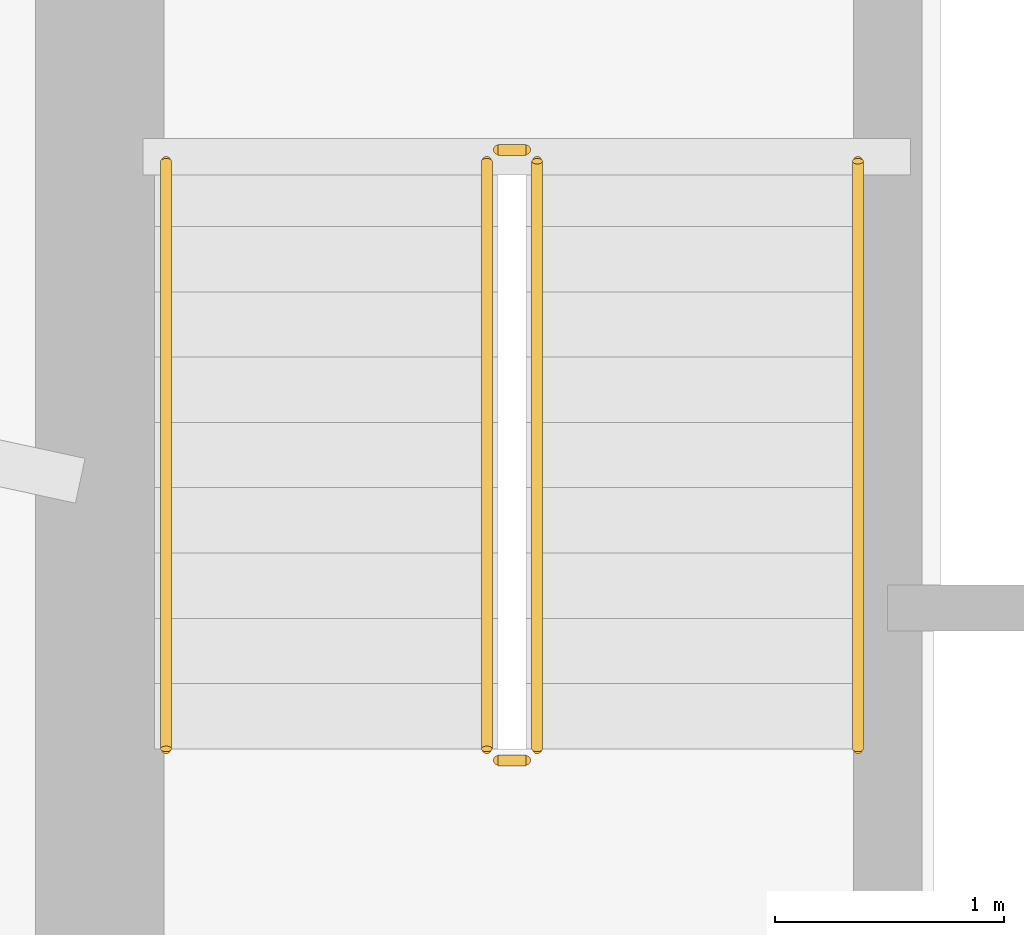
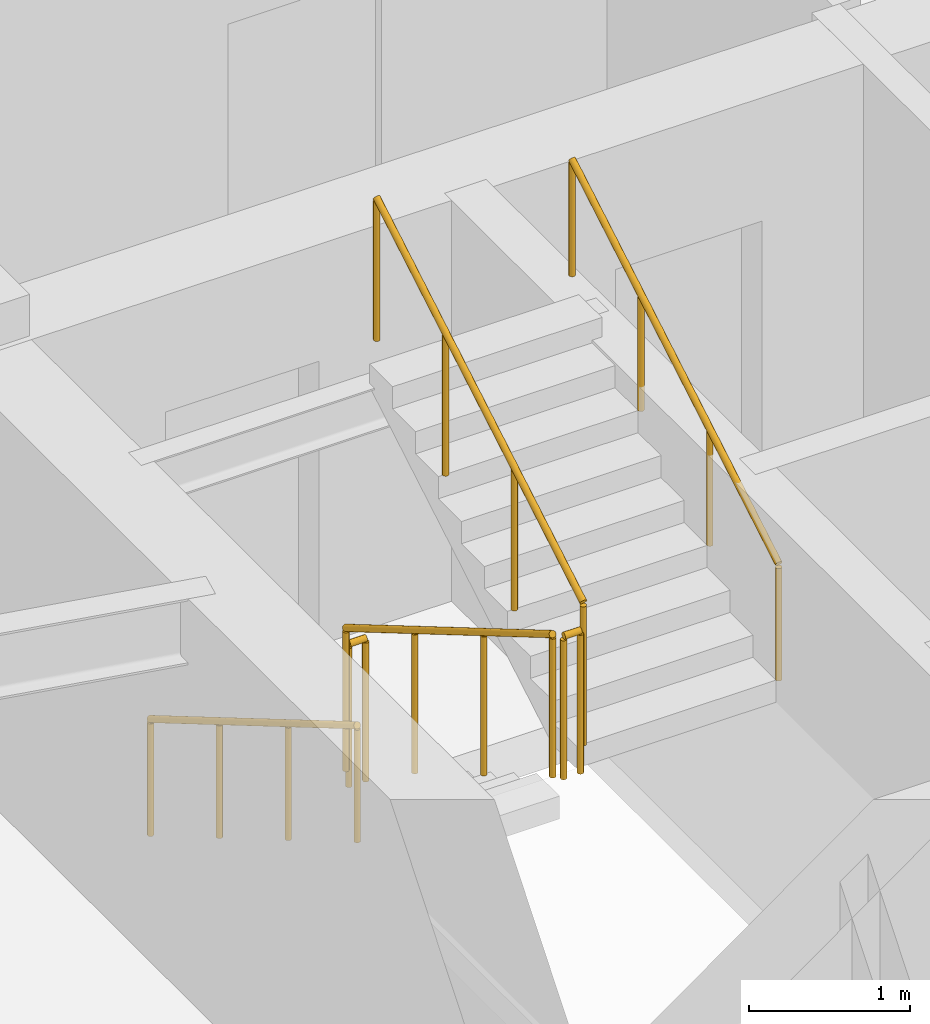
# One storey, part 20 of 21: 6 railings.
"""IFC4 building model written with IfcOpenShell, lengths in metres."""

from ifc_helpers import new_model, si_unit, direction, frame, origin, origin_2d, place, context, subcontext, project, spatial, circle, extrude, material, type_object, element, save


model = new_model("IFC4")

# Units and contexts
model_context = context("Model", 3, precision=1e-05, world=origin(), true_north=direction((0.0, 1.0)))
body_context = subcontext(model_context, "Body", "Model", "MODEL_VIEW")
ifc_project = project(units=[si_unit("LENGTHUNIT", "METRE"), si_unit("AREAUNIT", "SQUARE_METRE"), si_unit("VOLUMEUNIT", "CUBIC_METRE"), si_unit("PLANEANGLEUNIT", "RADIAN"), si_unit("MASSUNIT", "GRAM", prefix="KILO")], contexts=[model_context])

# Site, building, storey
site_placement = place(None, origin())
site = spatial("IfcSite", under=ifc_project, at=site_placement, CompositionType="ELEMENT")
building_placement = place(site_placement, origin())
building = spatial("IfcBuilding", under=site, at=building_placement, Name="Qobustan Lattice House", CompositionType="ELEMENT")
storey_placement = place(building_placement, frame((0.0, 0.0, 37.050048828125)))
storey = spatial("IfcBuildingStorey", under=building, at=storey_placement, Name="L09", CompositionType="ELEMENT", Elevation=37.050048828125)

# Railings
ifc_material_1 = material(Name="Brushed stainless steel handrail", Category="steel")
railing_type_1 = type_object("IfcRailingType", Name="RAL-HR-920", PredefinedType="HANDRAIL", material=ifc_material_1)
railing_1_placement = place(storey_placement, frame((-18.199951171875, 3.5, 0.16748046875)))
element("IfcRailing", 1, at=railing_1_placement, inside=storey, type_object=railing_type_1, Name="L09 ST-W1 stair handrail 1", PredefinedType="HANDRAIL", context=body_context, shape_type="SweptSolid", body=[
    extrude(circle(Radius=0.02392578125, at=origin_2d()), frame((0.0, 0.0, 0.8759765625), z_axis=(0.0, -0.862113467892, 0.50671527358), x_axis=(1.0, 0.0, 0.0)), (0.0, 0.0, 1.0), 2.97509765625),
    extrude(circle(Radius=0.02099609375, at=origin_2d()), origin(), (0.0, 0.0, 1.0), 0.851806640625),
    extrude(circle(Radius=0.02099609375, at=origin_2d()), frame((0.0, -0.85498046875, 0.50244140625)), (0.0, 0.0, 1.0), 0.851806640625),
    extrude(circle(Radius=0.02099609375, at=origin_2d()), frame((0.0, -1.7099609375, 1.005126953125)), (0.0, 0.0, 1.0), 0.851806640625),
    extrude(circle(Radius=0.02099609375, at=origin_2d()), frame((0.0, -2.56494140625, 1.507568359375)), (0.0, 0.0, 1.0), 0.851806640625),
])
railing_2_placement = place(storey_placement, frame((-15.179931640625, 0.93505859375, 1.842529296875)))
element("IfcRailing", 2, at=railing_2_placement, inside=storey, type_object=railing_type_1, Name="L09 ST-W1 stair handrail 2", PredefinedType="HANDRAIL", context=body_context, shape_type="SweptSolid", body=[
    extrude(circle(Radius=0.02392578125, at=origin_2d()), frame((0.0, 0.0, 0.8759765625), z_axis=(0.0, 0.862149314443, 0.506654280161), x_axis=(-1.0, 0.0, 0.0)), (0.0, 0.0, 1.0), 2.97509765625),
    extrude(circle(Radius=0.02099609375, at=origin_2d()), origin(), (0.0, 0.0, 1.0), 0.851806640625),
    extrude(circle(Radius=0.02099609375, at=origin_2d()), frame((0.0, 0.85498046875, 0.50244140625)), (0.0, 0.0, 1.0), 0.851806640625),
    extrude(circle(Radius=0.02099609375, at=origin_2d()), frame((0.0, 1.7099609375, 1.0048828125)), (0.0, 0.0, 1.0), 0.851806640625),
    extrude(circle(Radius=0.02099609375, at=origin_2d()), frame((0.0, 2.56494140625, 1.50732421875)), (0.0, 0.0, 1.0), 0.851806640625),
])
ifc_material_2 = material(Name="Painted galvanized steel guardrail", Category="steel")
railing_type_2 = type_object("IfcRailingType", Name="RAL-STG-1150", PredefinedType="GUARDRAIL", material=ifc_material_2)
railing_3_placement = place(storey_placement, frame((-16.800048828125, 3.5, 0.16748046875)))
element("IfcRailing", 3, at=railing_3_placement, inside=storey, type_object=railing_type_2, Name="L09 ST-W1 stair guard 1", PredefinedType="GUARDRAIL", context=body_context, shape_type="SweptSolid", body=[
    extrude(circle(Radius=0.02392578125, at=origin_2d()), frame((0.0, 0.0, 1.076171875), z_axis=(0.0, -0.862113467892, 0.50671527358), x_axis=(1.0, 0.0, 0.0)), (0.0, 0.0, 1.0), 2.97509765625),
    extrude(circle(Radius=0.02099609375, at=origin_2d()), origin(), (0.0, 0.0, 1.0), 1.052001953125),
    extrude(circle(Radius=0.02099609375, at=origin_2d()), frame((0.0, -0.85498046875, 0.50244140625)), (0.0, 0.0, 1.0), 1.052001953125),
    extrude(circle(Radius=0.02099609375, at=origin_2d()), frame((0.0, -1.7099609375, 1.005126953125)), (0.0, 0.0, 1.0), 1.052001953125),
    extrude(circle(Radius=0.02099609375, at=origin_2d()), frame((0.0, -2.56494140625, 1.507568359375)), (0.0, 0.0, 1.0), 1.052001953125),
])
railing_4_placement = place(storey_placement, frame((-16.75, 0.885009765625, 1.675048828125)))
element("IfcRailing", 4, at=railing_4_placement, inside=storey, type_object=railing_type_2, Name="L09 ST-W1 stair guard 2", PredefinedType="GUARDRAIL", context=body_context, shape_type="SweptSolid", body=[
    extrude(circle(Radius=0.02392578125, at=origin_2d()), frame((0.0, 0.0, 1.076171875), z_axis=(1.0, 0.0, 0.0), x_axis=(0.0, 1.0, 0.0)), (0.0, 0.0, 1.0), 0.1201171875),
    extrude(circle(Radius=0.02099609375, at=origin_2d()), origin(), (0.0, 0.0, 1.0), 1.052001953125),
    extrude(circle(Radius=0.02099609375, at=origin_2d()), frame((0.1201171875, 0.0, 0.0)), (0.0, 0.0, 1.0), 1.052001953125),
])
railing_5_placement = place(storey_placement, frame((-16.580078125, 0.93505859375, 1.842529296875)))
element("IfcRailing", 5, at=railing_5_placement, inside=storey, type_object=railing_type_2, Name="L09 ST-W1 stair guard 3", PredefinedType="GUARDRAIL", context=body_context, shape_type="SweptSolid", body=[
    extrude(circle(Radius=0.02392578125, at=origin_2d()), frame((0.0, 0.0, 1.076171875), z_axis=(0.0, 0.862149314443, 0.506654280161), x_axis=(-1.0, 0.0, 0.0)), (0.0, 0.0, 1.0), 2.97509765625),
    extrude(circle(Radius=0.02099609375, at=origin_2d()), origin(), (0.0, 0.0, 1.0), 1.052001953125),
    extrude(circle(Radius=0.02099609375, at=origin_2d()), frame((0.0, 0.85498046875, 0.50244140625)), (0.0, 0.0, 1.0), 1.052001953125),
    extrude(circle(Radius=0.02099609375, at=origin_2d()), frame((0.0, 1.7099609375, 1.0048828125)), (0.0, 0.0, 1.0), 1.052001953125),
    extrude(circle(Radius=0.02099609375, at=origin_2d()), frame((0.0, 2.56494140625, 1.50732421875)), (0.0, 0.0, 1.0), 1.052001953125),
])
railing_6_placement = place(storey_placement, frame((-16.75, 3.550048828125, 0.0)))
element("IfcRailing", 6, at=railing_6_placement, inside=storey, type_object=railing_type_2, Name="L09 ST-W1 stair guard 4", PredefinedType="GUARDRAIL", context=body_context, shape_type="SweptSolid", body=[
    extrude(circle(Radius=0.02392578125, at=origin_2d()), frame((0.0, 0.0, 1.076171875), z_axis=(1.0, 0.0, 0.0), x_axis=(0.0, 1.0, 0.0)), (0.0, 0.0, 1.0), 0.1201171875),
    extrude(circle(Radius=0.02099609375, at=origin_2d()), origin(), (0.0, 0.0, 1.0), 1.052001953125),
    extrude(circle(Radius=0.02099609375, at=origin_2d()), frame((0.1201171875, 0.0, 0.0)), (0.0, 0.0, 1.0), 1.052001953125),
])

save(model, "model.ifc")
